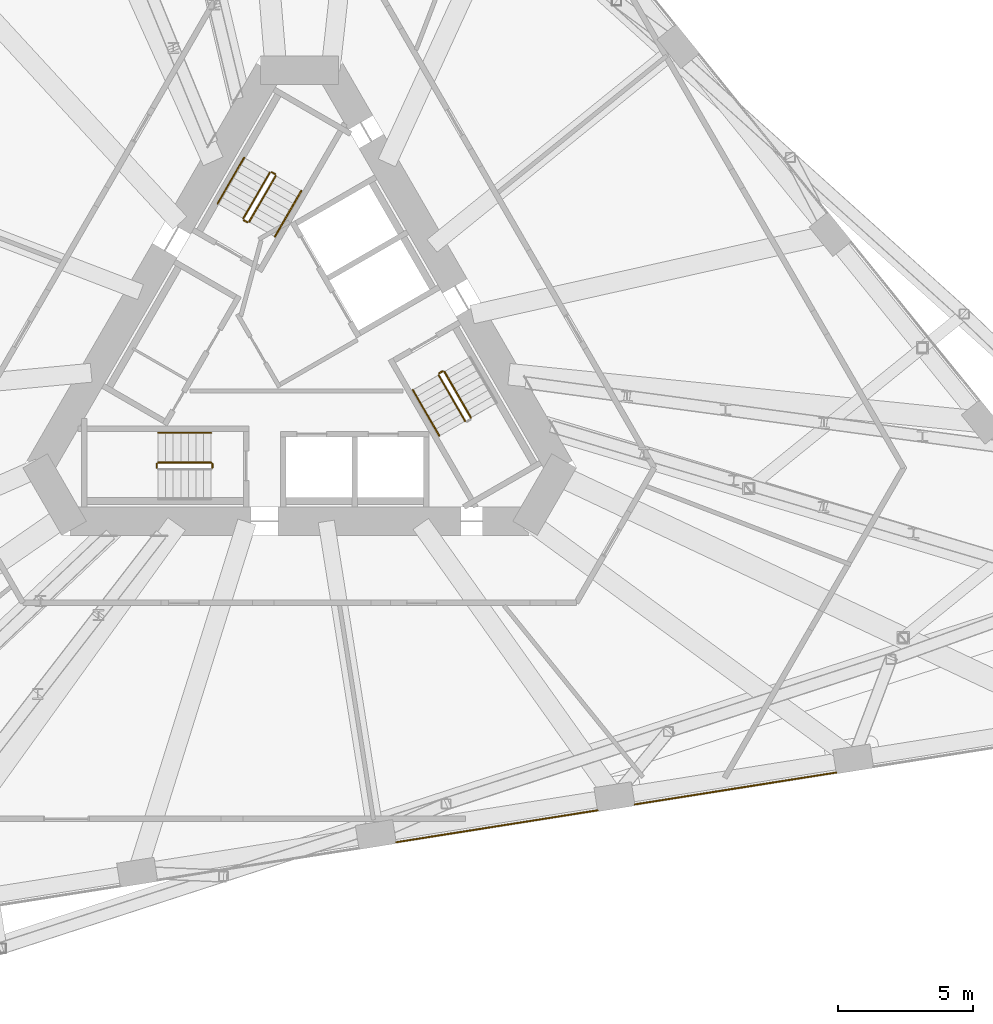
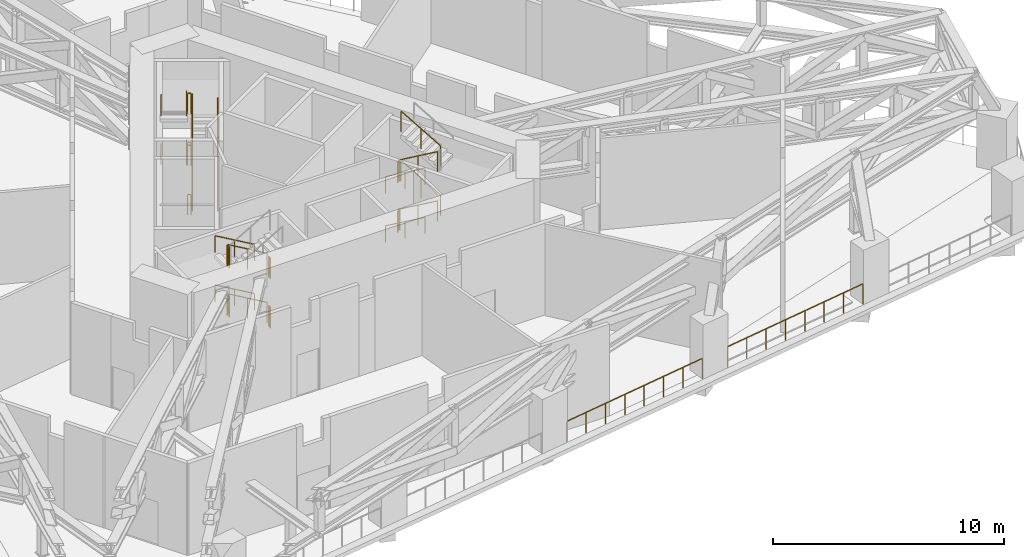
# One storey, part 18 of 20: 30 railings.
"""IFC4 building model written with IfcOpenShell, lengths in metres."""

from ifc_helpers import new_model, si_unit, direction, frame, origin, origin_2d, place, context, subcontext, project, spatial, circle, extrude, material, type_object, element, save


model = new_model("IFC4")

# Units and contexts
model_context = context("Model", 3, precision=1e-05, world=origin(), true_north=direction((0.0, 1.0)))
body_context = subcontext(model_context, "Body", "Model", "MODEL_VIEW")
ifc_project = project(units=[si_unit("LENGTHUNIT", "METRE"), si_unit("AREAUNIT", "SQUARE_METRE"), si_unit("VOLUMEUNIT", "CUBIC_METRE"), si_unit("PLANEANGLEUNIT", "RADIAN"), si_unit("MASSUNIT", "GRAM", prefix="KILO")], contexts=[model_context])

# Site, building, storey
site_placement = place(None, origin())
site = spatial("IfcSite", under=ifc_project, at=site_placement, CompositionType="ELEMENT")
building_placement = place(site_placement, origin())
building = spatial("IfcBuilding", under=site, at=building_placement, Name="Tramontana Tower", CompositionType="ELEMENT")
storey_placement = place(building_placement, frame((0.0, 0.0, 83.199951171875)))
storey = spatial("IfcBuildingStorey", under=building, at=storey_placement, Name="L18", CompositionType="ELEMENT", Elevation=83.199951171875)

# Railings
ifc_material_1 = material(Name="Stainless steel rail and posts", Category="steel")
railing_type_1 = type_object("IfcRailingType", Name="GD2 Terrace guard 1100", PredefinedType="GUARDRAIL", material=ifc_material_1)
for number, where, name in (
    (1, (3.57763671875, -18.11328125, 0.0), "Edge guard L18 14"),
    (2, (12.416259765625, -16.71337890625, 0.0), "Edge guard L18 16"),
):
    element("IfcRailing", number, at=place(storey_placement, frame(where)), inside=storey, type_object=railing_type_1, Name=name, PredefinedType="GUARDRAIL", context=body_context, shape_type="SweptSolid", body=[
        extrude(circle(Radius=0.02392578125, at=origin_2d()), frame((0.0, 0.0, 1.076171875), z_axis=(0.987688644444, 0.1564325466, 0.0), x_axis=(-0.1564325466, 0.987688644444, 0.0)), (0.0, 0.0, 1.0), 7.549072265625),
        extrude(circle(Radius=0.02099609375, at=origin_2d()), origin(), (0.0, 0.0, 1.0), 1.052001953125),
        extrude(circle(Radius=0.02099609375, at=origin_2d()), frame((1.065185546875, 0.168701171875, 0.0)), (0.0, 0.0, 1.0), 1.052001953125),
        extrude(circle(Radius=0.02099609375, at=origin_2d()), frame((2.13037109375, 0.33740234375, 0.0)), (0.0, 0.0, 1.0), 1.052001953125),
        extrude(circle(Radius=0.02099609375, at=origin_2d()), frame((3.195556640625, 0.506103515625, 0.0)), (0.0, 0.0, 1.0), 1.052001953125),
        extrude(circle(Radius=0.02099609375, at=origin_2d()), frame((4.260498046875, 0.6748046875, 0.0)), (0.0, 0.0, 1.0), 1.052001953125),
        extrude(circle(Radius=0.02099609375, at=origin_2d()), frame((5.32568359375, 0.843505859375, 0.0)), (0.0, 0.0, 1.0), 1.052001953125),
        extrude(circle(Radius=0.02099609375, at=origin_2d()), frame((6.390869140625, 1.01220703125, 0.0)), (0.0, 0.0, 1.0), 1.052001953125),
        extrude(circle(Radius=0.02099609375, at=origin_2d()), frame((7.4560546875, 1.180908203125, 0.0)), (0.0, 0.0, 1.0), 1.052001953125),
    ])
ifc_material_2 = material(Name="Painted steel", Category="steel")
railing_type_2 = type_object("IfcRailingType", Name="STAIR GUARD 1100", PredefinedType="GUARDRAIL", material=ifc_material_2)
railing_1_placement = place(storey_placement, frame((-1.867431640625, 4.865478515625, 0.16259765625)))
element("IfcRailing", 3, at=railing_1_placement, inside=storey, type_object=railing_type_2, Name="L18 ST1 stair guard 1", PredefinedType="GUARDRAIL", context=body_context, shape_type="SweptSolid", body=[
    extrude(circle(Radius=0.02392578125, at=origin_2d()), frame((0.0, 0.0, 1.076171875), z_axis=(0.432431929651, 0.749053115811, 0.501918375746), x_axis=(-0.866042469362, 0.499970440388, 0.0)), (0.0, 0.0, 1.0), 2.26611328125),
    extrude(circle(Radius=0.02099609375, at=origin_2d()), origin(), (0.0, 0.0, 1.0), 1.052001953125),
    extrude(circle(Radius=0.02099609375, at=origin_2d()), frame((0.489990234375, 0.8486328125, 0.56884765625)), (0.0, 0.0, 1.0), 1.052001953125),
    extrude(circle(Radius=0.02099609375, at=origin_2d()), frame((0.97998046875, 1.697509765625, 1.137451171875)), (0.0, 0.0, 1.0), 1.052001953125),
])
railing_2_placement = place(storey_placement, frame((-1.10400390625, 6.68798828125, 1.462646484375)))
element("IfcRailing", 4, at=railing_2_placement, inside=storey, type_object=railing_type_2, Name="L18 ST1 stair guard 2", PredefinedType="GUARDRAIL", context=body_context, shape_type="SweptSolid", body=[
    extrude(circle(Radius=0.02392578125, at=origin_2d()), frame((0.0, 0.0, 1.076171875), z_axis=(-0.432431929651, -0.749053115811, 0.501918375746), x_axis=(0.866042469362, -0.499970440388, 0.0)), (0.0, 0.0, 1.0), 2.26611328125),
    extrude(circle(Radius=0.02099609375, at=origin_2d()), origin(), (0.0, 0.0, 1.0), 1.052001953125),
    extrude(circle(Radius=0.02099609375, at=origin_2d()), frame((-0.489990234375, -0.8486328125, 0.56884765625)), (0.0, 0.0, 1.0), 1.052001953125),
    extrude(circle(Radius=0.02099609375, at=origin_2d()), frame((-0.97998046875, -1.697509765625, 1.137451171875)), (0.0, 0.0, 1.0), 1.052001953125),
])
railing_3_placement = place(storey_placement, frame((-1.867431640625, 4.865478515625, 2.762451171875)))
element("IfcRailing", 5, at=railing_3_placement, inside=storey, type_object=railing_type_2, Name="L18 ST1 stair guard 3", PredefinedType="GUARDRAIL", context=body_context, shape_type="SweptSolid", body=[
    extrude(circle(Radius=0.02392578125, at=origin_2d()), frame((0.0, 0.0, 1.076171875), z_axis=(0.432408546523, 0.749012611852, 0.501998960338), x_axis=(-0.866042469362, 0.499970440388, 0.0)), (0.0, 0.0, 1.0), 2.266357421875),
    extrude(circle(Radius=0.02099609375, at=origin_2d()), origin(), (0.0, 0.0, 1.0), 1.052001953125),
    extrude(circle(Radius=0.02099609375, at=origin_2d()), frame((0.489990234375, 0.8486328125, 0.56884765625)), (0.0, 0.0, 1.0), 1.052001953125),
    extrude(circle(Radius=0.02099609375, at=origin_2d()), frame((0.97998046875, 1.697509765625, 1.1376953125)), (0.0, 0.0, 1.0), 1.052001953125),
])
railing_4_placement = place(storey_placement, frame((-1.10400390625, 6.68798828125, 4.0625)))
element("IfcRailing", 6, at=railing_4_placement, inside=storey, type_object=railing_type_2, Name="L18 ST1 stair guard 4", PredefinedType="GUARDRAIL", context=body_context, shape_type="SweptSolid", body=[
    extrude(circle(Radius=0.02392578125, at=origin_2d()), frame((0.0, 0.0, 1.076171875), z_axis=(-0.432431929651, -0.749053115811, 0.501918375746), x_axis=(0.866042469362, -0.499970440388, 0.0)), (0.0, 0.0, 1.0), 2.26611328125),
    extrude(circle(Radius=0.02099609375, at=origin_2d()), origin(), (0.0, 0.0, 1.0), 1.052001953125),
    extrude(circle(Radius=0.02099609375, at=origin_2d()), frame((-0.489990234375, -0.8486328125, 0.56884765625)), (0.0, 0.0, 1.0), 1.052001953125),
    extrude(circle(Radius=0.02099609375, at=origin_2d()), frame((-0.97998046875, -1.697509765625, 1.137451171875)), (0.0, 0.0, 1.0), 1.052001953125),
])
railing_5_placement = place(storey_placement, frame((-0.90576171875, 6.63134765625, 1.300048828125)))
element("IfcRailing", 7, at=railing_5_placement, inside=storey, type_object=railing_type_2, Name="L18 ST1 stair guard 5", PredefinedType="GUARDRAIL", context=body_context, shape_type="SweptSolid", body=[
    extrude(circle(Radius=0.02392578125, at=origin_2d()), frame((0.0, 0.0, 1.076171875), z_axis=(-0.866131372301, 0.499816412211, 0.0), x_axis=(-0.499816412211, -0.866131372301, 0.0)), (0.0, 0.0, 1.0), 0.14990234375),
    extrude(circle(Radius=0.02099609375, at=origin_2d()), origin(), (0.0, 0.0, 1.0), 1.052001953125),
    extrude(circle(Radius=0.02099609375, at=origin_2d()), frame((-0.1298828125, 0.074951171875, 0.0)), (0.0, 0.0, 1.0), 1.052001953125),
])
railing_6_placement = place(storey_placement, frame((-1.935791015625, 4.84716796875, 2.60009765625)))
element("IfcRailing", 8, at=railing_6_placement, inside=storey, type_object=railing_type_2, Name="L18 ST1 stair guard 6", PredefinedType="GUARDRAIL", context=body_context, shape_type="SweptSolid", body=[
    extrude(circle(Radius=0.02392578125, at=origin_2d()), frame((0.0, 0.0, 1.076171875), z_axis=(-0.865426285481, 0.501036270542, 0.0), x_axis=(-0.501036270542, -0.865426285481, 0.0)), (0.0, 0.0, 1.0), 0.150146484375),
    extrude(circle(Radius=0.02099609375, at=origin_2d()), origin(), (0.0, 0.0, 1.0), 1.052001953125),
    extrude(circle(Radius=0.02099609375, at=origin_2d()), frame((-0.1298828125, 0.0751953125, 0.0)), (0.0, 0.0, 1.0), 1.052001953125),
])
railing_7_placement = place(storey_placement, frame((-0.90576171875, 6.63134765625, 3.900146484375)))
element("IfcRailing", 9, at=railing_7_placement, inside=storey, type_object=railing_type_2, Name="L18 ST1 stair guard 7", PredefinedType="GUARDRAIL", context=body_context, shape_type="SweptSolid", body=[
    extrude(circle(Radius=0.02392578125, at=origin_2d()), frame((0.0, 0.0, 1.076171875), z_axis=(-0.866131372301, 0.499816412211, 0.0), x_axis=(-0.499816412211, -0.866131372301, 0.0)), (0.0, 0.0, 1.0), 0.14990234375),
    extrude(circle(Radius=0.02099609375, at=origin_2d()), origin(), (0.0, 0.0, 1.0), 1.052001953125),
    extrude(circle(Radius=0.02099609375, at=origin_2d()), frame((-0.1298828125, 0.074951171875, 0.0)), (0.0, 0.0, 1.0), 1.052001953125),
])
railing_8_placement = place(storey_placement, frame((-1.935791015625, 4.84716796875, 0.0)))
element("IfcRailing", 10, at=railing_8_placement, inside=storey, type_object=railing_type_2, Name="L18 ST1 stair guard 8", PredefinedType="GUARDRAIL", context=body_context, shape_type="SweptSolid", body=[
    extrude(circle(Radius=0.02392578125, at=origin_2d()), frame((0.0, 0.0, 1.076171875), z_axis=(-0.865426285481, 0.501036270542, 0.0), x_axis=(-0.501036270542, -0.865426285481, 0.0)), (0.0, 0.0, 1.0), 0.150146484375),
    extrude(circle(Radius=0.02099609375, at=origin_2d()), origin(), (0.0, 0.0, 1.0), 1.052001953125),
    extrude(circle(Radius=0.02099609375, at=origin_2d()), frame((-0.1298828125, 0.0751953125, 0.0)), (0.0, 0.0, 1.0), 1.052001953125),
])
railing_9_placement = place(storey_placement, frame((-3.280029296875, -4.050048828125, 0.16259765625)))
element("IfcRailing", 11, at=railing_9_placement, inside=storey, type_object=railing_type_2, Name="L18 ST2 stair guard 1", PredefinedType="GUARDRAIL", context=body_context, shape_type="SweptSolid", body=[
    extrude(circle(Radius=0.02392578125, at=origin_2d()), frame((0.0, 0.0, 1.076171875), z_axis=(-0.864902109995, 0.0, 0.501940574298), x_axis=(0.0, -1.0, 0.0)), (0.0, 0.0, 1.0), 2.26611328125),
    extrude(circle(Radius=0.02099609375, at=origin_2d()), origin(), (0.0, 0.0, 1.0), 1.052001953125),
    extrude(circle(Radius=0.02099609375, at=origin_2d()), frame((-0.97998046875, 0.0, 0.56884765625)), (0.0, 0.0, 1.0), 1.052001953125),
    extrude(circle(Radius=0.02099609375, at=origin_2d()), frame((-1.9599609375, 0.0, 1.137451171875)), (0.0, 0.0, 1.0), 1.052001953125),
])
railing_10_placement = place(storey_placement, frame((-3.280029296875, -4.050048828125, 2.762451171875)))
element("IfcRailing", 12, at=railing_10_placement, inside=storey, type_object=railing_type_2, Name="L18 ST2 stair guard 3", PredefinedType="GUARDRAIL", context=body_context, shape_type="SweptSolid", body=[
    extrude(circle(Radius=0.02392578125, at=origin_2d()), frame((0.0, 0.0, 1.076171875), z_axis=(-0.864855337533, 0.0, 0.502021160053), x_axis=(0.0, -1.0, 0.0)), (0.0, 0.0, 1.0), 2.26611328125),
    extrude(circle(Radius=0.02099609375, at=origin_2d()), origin(), (0.0, 0.0, 1.0), 1.052001953125),
    extrude(circle(Radius=0.02099609375, at=origin_2d()), frame((-0.97998046875, 0.0, 0.56884765625)), (0.0, 0.0, 1.0), 1.052001953125),
    extrude(circle(Radius=0.02099609375, at=origin_2d()), frame((-1.9599609375, 0.0, 1.1376953125)), (0.0, 0.0, 1.0), 1.052001953125),
])
for number, where, name in (
    (13, (-5.2900390625, -4.10009765625, 1.300048828125), "L18 ST2 stair guard 5"),
    (14, (-3.22998046875, -4.10009765625, 2.60009765625), "L18 ST2 stair guard 6"),
    (15, (-5.2900390625, -4.10009765625, 3.900146484375), "L18 ST2 stair guard 7"),
    (16, (-3.22998046875, -4.10009765625, 0.0), "L18 ST2 stair guard 8"),
):
    element("IfcRailing", number, at=place(storey_placement, frame(where)), inside=storey, type_object=railing_type_2, Name=name, PredefinedType="GUARDRAIL", context=body_context, shape_type="SweptSolid", body=[
        extrude(circle(Radius=0.02392578125, at=origin_2d()), frame((0.0, 0.0, 1.076171875), z_axis=(0.0, -1.0, 0.0), x_axis=(1.0, 0.0, 0.0)), (0.0, 0.0, 1.0), 0.14990234375),
        extrude(circle(Radius=0.02099609375, at=origin_2d()), origin(), (0.0, 0.0, 1.0), 1.052001953125),
        extrude(circle(Radius=0.02099609375, at=origin_2d()), frame((0.0, -0.14990234375, 0.0)), (0.0, 0.0, 1.0), 1.052001953125),
    ])
railing_11_placement = place(storey_placement, frame((5.1474609375, -0.815673828125, 0.16259765625)))
element("IfcRailing", 17, at=railing_11_placement, inside=storey, type_object=railing_type_2, Name="L18 ST3 stair guard 1", PredefinedType="GUARDRAIL", context=body_context, shape_type="SweptSolid", body=[
    extrude(circle(Radius=0.02392578125, at=origin_2d()), frame((0.0, 0.0, 1.076171875), z_axis=(0.432466826973, -0.749005824891, 0.501958880634), x_axis=(0.866011328839, 0.500024377727, 0.0)), (0.0, 0.0, 1.0), 2.26611328125),
    extrude(circle(Radius=0.02099609375, at=origin_2d()), origin(), (0.0, 0.0, 1.0), 1.052001953125),
    extrude(circle(Radius=0.02099609375, at=origin_2d()), frame((0.489990234375, -0.8486328125, 0.56884765625)), (0.0, 0.0, 1.0), 1.052001953125),
    extrude(circle(Radius=0.02099609375, at=origin_2d()), frame((0.97998046875, -1.697265625, 1.137451171875)), (0.0, 0.0, 1.0), 1.052001953125),
])
railing_12_placement = place(storey_placement, frame((6.343994140625, -2.387939453125, 1.462646484375)))
element("IfcRailing", 18, at=railing_12_placement, inside=storey, type_object=railing_type_2, Name="L18 ST3 stair guard 2", PredefinedType="GUARDRAIL", context=body_context, shape_type="SweptSolid", body=[
    extrude(circle(Radius=0.02392578125, at=origin_2d()), frame((0.0, 0.0, 1.076171875), z_axis=(-0.432466826973, 0.749005824891, 0.501958880634), x_axis=(-0.866011328839, -0.500024377727, 0.0)), (0.0, 0.0, 1.0), 2.26611328125),
    extrude(circle(Radius=0.02099609375, at=origin_2d()), origin(), (0.0, 0.0, 1.0), 1.052001953125),
    extrude(circle(Radius=0.02099609375, at=origin_2d()), frame((-0.489990234375, 0.8486328125, 0.56884765625)), (0.0, 0.0, 1.0), 1.052001953125),
    extrude(circle(Radius=0.02099609375, at=origin_2d()), frame((-0.97998046875, 1.697265625, 1.137451171875)), (0.0, 0.0, 1.0), 1.052001953125),
])
railing_13_placement = place(storey_placement, frame((5.1474609375, -0.815673828125, 2.762451171875)))
element("IfcRailing", 19, at=railing_13_placement, inside=storey, type_object=railing_type_2, Name="L18 ST3 stair guard 3", PredefinedType="GUARDRAIL", context=body_context, shape_type="SweptSolid", body=[
    extrude(circle(Radius=0.02392578125, at=origin_2d()), frame((0.0, 0.0, 1.076171875), z_axis=(0.432443438183, -0.748965316953, 0.502039467347), x_axis=(0.866011328839, 0.500024377727, 0.0)), (0.0, 0.0, 1.0), 2.26611328125),
    extrude(circle(Radius=0.02099609375, at=origin_2d()), origin(), (0.0, 0.0, 1.0), 1.052001953125),
    extrude(circle(Radius=0.02099609375, at=origin_2d()), frame((0.489990234375, -0.8486328125, 0.56884765625)), (0.0, 0.0, 1.0), 1.052001953125),
    extrude(circle(Radius=0.02099609375, at=origin_2d()), frame((0.97998046875, -1.697265625, 1.1376953125)), (0.0, 0.0, 1.0), 1.052001953125),
])
railing_14_placement = place(storey_placement, frame((6.343994140625, -2.387939453125, 4.0625)))
element("IfcRailing", 20, at=railing_14_placement, inside=storey, type_object=railing_type_2, Name="L18 ST3 stair guard 4", PredefinedType="GUARDRAIL", context=body_context, shape_type="SweptSolid", body=[
    extrude(circle(Radius=0.02392578125, at=origin_2d()), frame((0.0, 0.0, 1.076171875), z_axis=(-0.432466826973, 0.749005824891, 0.501958880634), x_axis=(-0.866011328839, -0.500024377727, 0.0)), (0.0, 0.0, 1.0), 2.26611328125),
    extrude(circle(Radius=0.02099609375, at=origin_2d()), origin(), (0.0, 0.0, 1.0), 1.052001953125),
    extrude(circle(Radius=0.02099609375, at=origin_2d()), frame((-0.489990234375, 0.8486328125, 0.56884765625)), (0.0, 0.0, 1.0), 1.052001953125),
    extrude(circle(Radius=0.02099609375, at=origin_2d()), frame((-0.97998046875, 1.697265625, 1.137451171875)), (0.0, 0.0, 1.0), 1.052001953125),
])
for number, where, name in (
    (21, (5.165771484375, -0.747314453125, 2.60009765625), "L18 ST3 stair guard 6"),
    (22, (5.165771484375, -0.747314453125, 0.0), "L18 ST3 stair guard 8"),
):
    element("IfcRailing", number, at=place(storey_placement, frame(where)), inside=storey, type_object=railing_type_2, Name=name, PredefinedType="GUARDRAIL", context=body_context, shape_type="SweptSolid", body=[
        extrude(circle(Radius=0.02392578125, at=origin_2d()), frame((0.0, 0.0, 1.076171875), z_axis=(0.866131372301, 0.499816412211, 0.0), x_axis=(-0.499816412211, 0.866131372301, 0.0)), (0.0, 0.0, 1.0), 0.14990234375),
        extrude(circle(Radius=0.02099609375, at=origin_2d()), origin(), (0.0, 0.0, 1.0), 1.052001953125),
        extrude(circle(Radius=0.02099609375, at=origin_2d()), frame((0.1298828125, 0.074951171875, 0.0)), (0.0, 0.0, 1.0), 1.052001953125),
    ])
ifc_material_3 = material(Name="Painted steel", Category="steel")
railing_type_3 = type_object("IfcRailingType", Name="STAIR HANDRAIL 900", PredefinedType="HANDRAIL", material=ifc_material_3)
railing_15_placement = place(storey_placement, frame((-0.914794921875, 4.315673828125, 0.16259765625)))
element("IfcRailing", 23, at=railing_15_placement, inside=storey, type_object=railing_type_3, Name="L18 ST1 stair handrail 1", PredefinedType="HANDRAIL", context=body_context, shape_type="SweptSolid", body=[
    extrude(circle(Radius=0.02392578125, at=origin_2d()), frame((0.0, 0.0, 0.8759765625), z_axis=(0.432466826973, 0.749005824891, 0.501958880634), x_axis=(-0.866011328839, 0.500024377727, 0.0)), (0.0, 0.0, 1.0), 2.26611328125),
    extrude(circle(Radius=0.02099609375, at=origin_2d()), origin(), (0.0, 0.0, 1.0), 0.851806640625),
    extrude(circle(Radius=0.02099609375, at=origin_2d()), frame((0.489990234375, 0.8486328125, 0.56884765625)), (0.0, 0.0, 1.0), 0.851806640625),
    extrude(circle(Radius=0.02099609375, at=origin_2d()), frame((0.97998046875, 1.697265625, 1.137451171875)), (0.0, 0.0, 1.0), 0.851806640625),
])
railing_16_placement = place(storey_placement, frame((-2.056640625, 7.238037109375, 1.462646484375)))
element("IfcRailing", 24, at=railing_16_placement, inside=storey, type_object=railing_type_3, Name="L18 ST1 stair handrail 2", PredefinedType="HANDRAIL", context=body_context, shape_type="SweptSolid", body=[
    extrude(circle(Radius=0.02392578125, at=origin_2d()), frame((0.0, 0.0, 0.8759765625), z_axis=(-0.432431929651, -0.749053115811, 0.501918375746), x_axis=(0.866042469362, -0.499970440388, 0.0)), (0.0, 0.0, 1.0), 2.26611328125),
    extrude(circle(Radius=0.02099609375, at=origin_2d()), origin(), (0.0, 0.0, 1.0), 0.851806640625),
    extrude(circle(Radius=0.02099609375, at=origin_2d()), frame((-0.489990234375, -0.8486328125, 0.56884765625)), (0.0, 0.0, 1.0), 0.851806640625),
    extrude(circle(Radius=0.02099609375, at=origin_2d()), frame((-0.97998046875, -1.697509765625, 1.137451171875)), (0.0, 0.0, 1.0), 0.851806640625),
])
railing_17_placement = place(storey_placement, frame((-0.914794921875, 4.315673828125, 2.762451171875)))
element("IfcRailing", 25, at=railing_17_placement, inside=storey, type_object=railing_type_3, Name="L18 ST1 stair handrail 3", PredefinedType="HANDRAIL", context=body_context, shape_type="SweptSolid", body=[
    extrude(circle(Radius=0.02392578125, at=origin_2d()), frame((0.0, 0.0, 0.8759765625), z_axis=(0.432443438183, 0.748965316953, 0.502039467347), x_axis=(-0.866011328839, 0.500024377727, 0.0)), (0.0, 0.0, 1.0), 2.26611328125),
    extrude(circle(Radius=0.02099609375, at=origin_2d()), origin(), (0.0, 0.0, 1.0), 0.851806640625),
    extrude(circle(Radius=0.02099609375, at=origin_2d()), frame((0.489990234375, 0.8486328125, 0.56884765625)), (0.0, 0.0, 1.0), 0.851806640625),
    extrude(circle(Radius=0.02099609375, at=origin_2d()), frame((0.97998046875, 1.697265625, 1.1376953125)), (0.0, 0.0, 1.0), 0.851806640625),
])
railing_18_placement = place(storey_placement, frame((-2.056640625, 7.238037109375, 4.0625)))
element("IfcRailing", 26, at=railing_18_placement, inside=storey, type_object=railing_type_3, Name="L18 ST1 stair handrail 4", PredefinedType="HANDRAIL", context=body_context, shape_type="SweptSolid", body=[
    extrude(circle(Radius=0.02392578125, at=origin_2d()), frame((0.0, 0.0, 0.8759765625), z_axis=(-0.432431929651, -0.749053115811, 0.501918375746), x_axis=(0.866042469362, -0.499970440388, 0.0)), (0.0, 0.0, 1.0), 2.26611328125),
    extrude(circle(Radius=0.02099609375, at=origin_2d()), origin(), (0.0, 0.0, 1.0), 0.851806640625),
    extrude(circle(Radius=0.02099609375, at=origin_2d()), frame((-0.489990234375, -0.8486328125, 0.56884765625)), (0.0, 0.0, 1.0), 0.851806640625),
    extrude(circle(Radius=0.02099609375, at=origin_2d()), frame((-0.97998046875, -1.697509765625, 1.137451171875)), (0.0, 0.0, 1.0), 0.851806640625),
])
railing_19_placement = place(storey_placement, frame((-3.280029296875, -2.949951171875, 0.16259765625)))
element("IfcRailing", 27, at=railing_19_placement, inside=storey, type_object=railing_type_3, Name="L18 ST2 stair handrail 1", PredefinedType="HANDRAIL", context=body_context, shape_type="SweptSolid", body=[
    extrude(circle(Radius=0.02392578125, at=origin_2d()), frame((0.0, 0.0, 0.8759765625), z_axis=(-0.864902109995, 0.0, 0.501940574298), x_axis=(0.0, -1.0, 0.0)), (0.0, 0.0, 1.0), 2.26611328125),
    extrude(circle(Radius=0.02099609375, at=origin_2d()), origin(), (0.0, 0.0, 1.0), 0.851806640625),
    extrude(circle(Radius=0.02099609375, at=origin_2d()), frame((-0.97998046875, 0.0, 0.56884765625)), (0.0, 0.0, 1.0), 0.851806640625),
    extrude(circle(Radius=0.02099609375, at=origin_2d()), frame((-1.9599609375, 0.0, 1.137451171875)), (0.0, 0.0, 1.0), 0.851806640625),
])
railing_20_placement = place(storey_placement, frame((-3.280029296875, -2.949951171875, 2.762451171875)))
element("IfcRailing", 28, at=railing_20_placement, inside=storey, type_object=railing_type_3, Name="L18 ST2 stair handrail 3", PredefinedType="HANDRAIL", context=body_context, shape_type="SweptSolid", body=[
    extrude(circle(Radius=0.02392578125, at=origin_2d()), frame((0.0, 0.0, 0.8759765625), z_axis=(-0.864855337533, 0.0, 0.502021160053), x_axis=(0.0, -1.0, 0.0)), (0.0, 0.0, 1.0), 2.26611328125),
    extrude(circle(Radius=0.02099609375, at=origin_2d()), origin(), (0.0, 0.0, 1.0), 0.851806640625),
    extrude(circle(Radius=0.02099609375, at=origin_2d()), frame((-0.97998046875, 0.0, 0.56884765625)), (0.0, 0.0, 1.0), 0.851806640625),
    extrude(circle(Radius=0.02099609375, at=origin_2d()), frame((-1.9599609375, 0.0, 1.1376953125)), (0.0, 0.0, 1.0), 0.851806640625),
])
railing_21_placement = place(storey_placement, frame((4.19482421875, -1.365478515625, 0.16259765625)))
element("IfcRailing", 29, at=railing_21_placement, inside=storey, type_object=railing_type_3, Name="L18 ST3 stair handrail 1", PredefinedType="HANDRAIL", context=body_context, shape_type="SweptSolid", body=[
    extrude(circle(Radius=0.02392578125, at=origin_2d()), frame((0.0, 0.0, 0.8759765625), z_axis=(0.432431929651, -0.749053115811, 0.501918375746), x_axis=(0.866042469362, 0.499970440388, 0.0)), (0.0, 0.0, 1.0), 2.26611328125),
    extrude(circle(Radius=0.02099609375, at=origin_2d()), origin(), (0.0, 0.0, 1.0), 0.851806640625),
    extrude(circle(Radius=0.02099609375, at=origin_2d()), frame((0.489990234375, -0.8486328125, 0.56884765625)), (0.0, 0.0, 1.0), 0.851806640625),
    extrude(circle(Radius=0.02099609375, at=origin_2d()), frame((0.97998046875, -1.697509765625, 1.137451171875)), (0.0, 0.0, 1.0), 0.851806640625),
])
railing_22_placement = place(storey_placement, frame((4.19482421875, -1.365478515625, 2.762451171875)))
element("IfcRailing", 30, at=railing_22_placement, inside=storey, type_object=railing_type_3, Name="L18 ST3 stair handrail 3", PredefinedType="HANDRAIL", context=body_context, shape_type="SweptSolid", body=[
    extrude(circle(Radius=0.02392578125, at=origin_2d()), frame((0.0, 0.0, 0.8759765625), z_axis=(0.432408546523, -0.749012611852, 0.501998960338), x_axis=(0.866042469362, 0.499970440388, 0.0)), (0.0, 0.0, 1.0), 2.266357421875),
    extrude(circle(Radius=0.02099609375, at=origin_2d()), origin(), (0.0, 0.0, 1.0), 0.851806640625),
    extrude(circle(Radius=0.02099609375, at=origin_2d()), frame((0.489990234375, -0.8486328125, 0.56884765625)), (0.0, 0.0, 1.0), 0.851806640625),
    extrude(circle(Radius=0.02099609375, at=origin_2d()), frame((0.97998046875, -1.697509765625, 1.1376953125)), (0.0, 0.0, 1.0), 0.851806640625),
])

save(model, "model.ifc")
